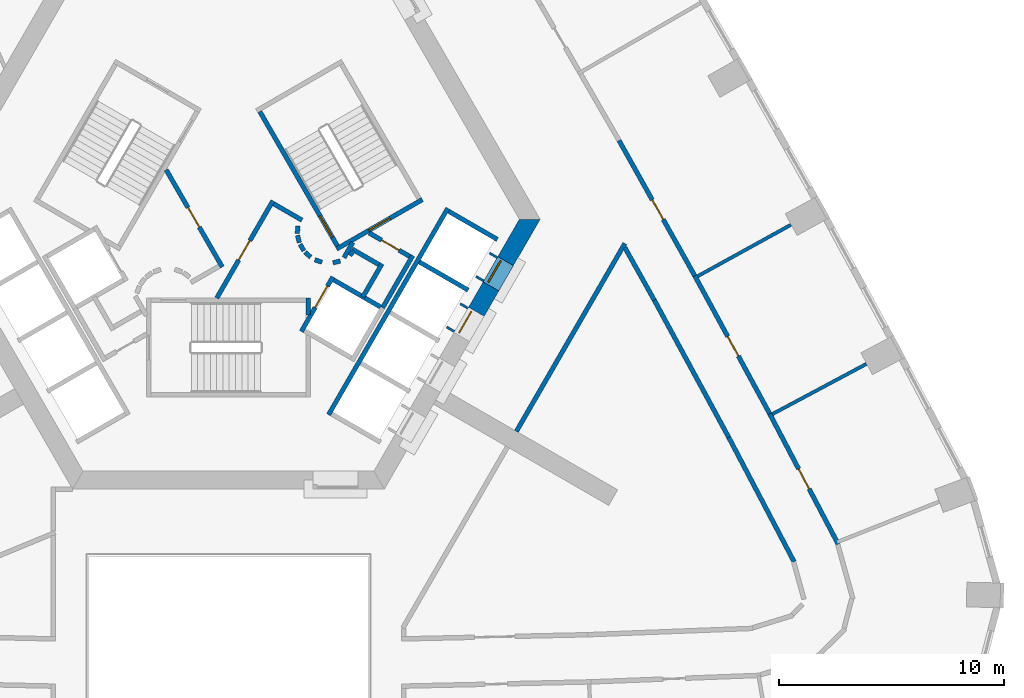
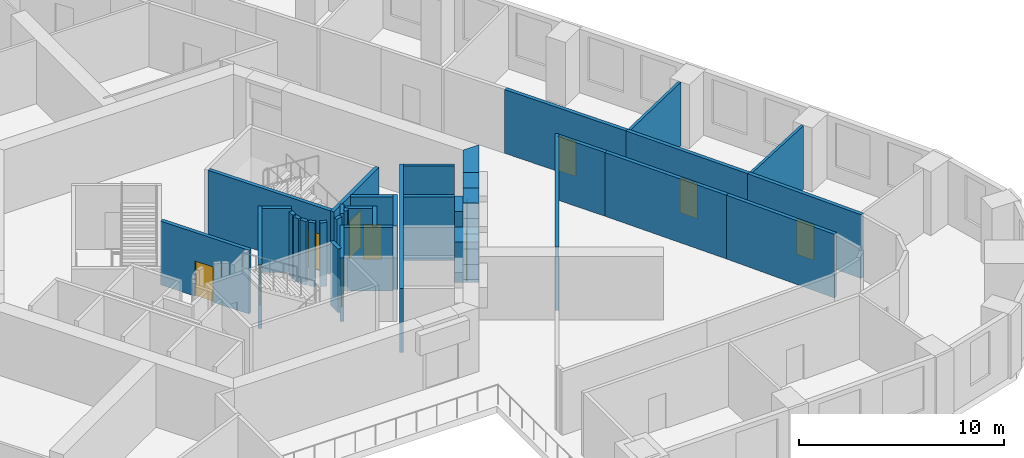
# One storey, part 7 of 12: 37 walls, 11 doors, 11 openings.
"""IFC4 building model written with IfcOpenShell, lengths in metres."""

from ifc_helpers import new_model, si_unit, direction, frame, frame_2d, origin, place, context, subcontext, project, spatial, polyline, rectangle, outline, extrude, material, layer, layer_set, type_object, element, fill, save


model = new_model("IFC4")

# Units and contexts
model_context = context("Model", 3, precision=1e-05, world=origin(), true_north=direction((0.0, 1.0)))
body_context = subcontext(model_context, "Body", "Model", "MODEL_VIEW")
ifc_project = project(units=[si_unit("LENGTHUNIT", "METRE"), si_unit("AREAUNIT", "SQUARE_METRE"), si_unit("VOLUMEUNIT", "CUBIC_METRE"), si_unit("PLANEANGLEUNIT", "RADIAN"), si_unit("MASSUNIT", "GRAM", prefix="KILO")], contexts=[model_context])

# Site, building, storey
site_placement = place(None, origin())
site = spatial("IfcSite", under=ifc_project, at=site_placement, CompositionType="ELEMENT")
building_placement = place(site_placement, origin())
building = spatial("IfcBuilding", under=site, at=building_placement, Name="Entoto Arch Interchange Tower", CompositionType="ELEMENT")
storey_placement = place(building_placement, frame((0.0, 0.0, 155.0)))
storey = spatial("IfcBuildingStorey", under=building, at=storey_placement, Name="L34", CompositionType="ELEMENT", Elevation=155.0)

# Walls
ifc_material_1 = material(Name="Concrete C50/60", Category="concrete")
ifc_layer_1 = layer(ifc_material_1, 0.800048828125)
ifc_layer_set_1 = layer_set([ifc_layer_1], Name="Concrete C50/60")
wall_type_1 = type_object("IfcWallType", Name="Core wall 800 C50/60", PredefinedType="SHEAR", material=ifc_layer_set_1)
wall_1_placement = place(storey_placement, frame((0.0, 0.0, -0.39990234375)))
element("IfcWall", 1, at=wall_1_placement, inside=storey, type_object=wall_type_1, Name="Core wall SE L34", PredefinedType="SHEAR", context=body_context, shape_type="SweptSolid", body=[
    extrude(outline(polyline([(12.01708984375, -0.68603515625), (11.323974609375, -0.285888671875), (10.675048828125, -1.410888671875), (11.366943359375, -1.81103515625), (12.01708984375, -0.68603515625)])), origin(), (0.0, 0.0, 1.0), 4.199951171875),
])
wall_2_placement = place(storey_placement, frame((0.0, 0.0, -0.39990234375)))
element("IfcWall", 2, at=wall_2_placement, inside=storey, type_object=wall_type_1, Name="Core wall SE L34", PredefinedType="SHEAR", context=body_context, shape_type="SweptSolid", body=[
    extrude(outline(polyline([(11.97412109375, 0.840087890625), (12.6669921875, 0.43994140625), (13.85595703125, 2.5), (12.93310546875, 2.5), (11.97412109375, 0.840087890625)])), origin(), (0.0, 0.0, 1.0), 4.199951171875),
])
wall_3_placement = place(storey_placement, frame((0.0, 0.0, 3.60009765625)))
element("IfcWall", 3, at=wall_3_placement, inside=storey, type_object=wall_type_1, Name="Core wall lintel SE L34", PredefinedType="SHEAR", context=body_context, shape_type="SweptSolid", body=[
    extrude(outline(polyline([(12.6669921875, 0.43994140625), (11.97412109375, 0.840087890625), (11.323974609375, -0.285888671875), (12.01708984375, -0.68603515625), (12.6669921875, 0.43994140625)])), origin(), (0.0, 0.0, 1.0), 0.199951171875),
])

# Wall, opening, door
ifc_material_2 = material(Name="Concrete C40/50", Category="concrete")
ifc_layer_2 = layer(ifc_material_2, 1.199951171875)
ifc_layer_set_2 = layer_set([ifc_layer_2], Name="Concrete C40/50")
wall_type_2 = type_object("IfcWallType", Name="LIFT LANDING INFILL WALL", PredefinedType="STANDARD", material=ifc_layer_set_2)
wall_4_placement = place(storey_placement, frame((10.197998046875, -2.636962890625, 0.0), z_axis=(0.0, 0.0, 1.0), x_axis=(0.49989585183, 0.866085525409, 0.0)))
wall_4 = element("IfcWall", 4, at=wall_4_placement, inside=storey, type_object=wall_type_2, Name="Lift landing infill wall LR7 L34", PredefinedType="STANDARD", context=body_context, shape_type="SweptSolid", body=[
    extrude(rectangle(XDim=1.300048828125, YDim=1.199951171875, at=frame_2d((0.64990234375, 0.0))), origin(), (0.0, 0.0, 1.0), 2.39990234375),
])
opening_1_placement = place(wall_4_placement, frame((0.10009765625, 0.0, 0.0)))
opening_1 = element("IfcOpeningElement", 5, at=opening_1_placement, cuts=wall_4, Name="Opening LD-LR7-L34", PredefinedType="OPENING", context=body_context, shape_type="SweptSolid", body=[
    extrude(rectangle(XDim=1.10009765625, YDim=2.300048828125, at=frame_2d((0.550048828125, 1.14990234375))), frame((0.0, 0.60986328125, 0.0), z_axis=(0.0, -1.0, 0.0), x_axis=(1.0, 0.0, 0.0)), (0.0, 0.0, 1.0), 1.219970703125),
])
ifc_material_3 = material(Name="Stainless steel 1.4301 panels", Category="steel")
door_type_1 = type_object("IfcDoorType", Name="LIFT LANDING DOOR LD2 1100x2300", OperationType="SLIDING_TO_LEFT", PredefinedType="DOOR", material=ifc_material_3)
door_1_placement = place(opening_1_placement, origin())
door_1 = element("IfcDoor", 6, at=door_1_placement, inside=storey, type_object=door_type_1, Name="Lift landing door LR7 L34", OperationType="SLIDING_TO_LEFT", OverallHeight=2.300048828125, OverallWidth=1.10009765625, PredefinedType="DOOR", context=body_context, shape_type="SweptSolid", body=[
    extrude(rectangle(XDim=1.10009765625, YDim=2.300048828125, at=frame_2d((0.550048828125, 1.14990234375))), frame((0.0, 0.02490234375, 0.0), z_axis=(0.0, -1.0, 0.0), x_axis=(1.0, 0.0, 0.0)), (0.0, 0.0, 1.0), 0.050048828125),
])
fill(opening_1, door_1)

wall_5_placement = place(storey_placement, frame((11.498046875, -0.385009765625, 0.0), z_axis=(0.0, 0.0, 1.0), x_axis=(0.500221244143, 0.865897630733, 0.0)))
wall_5 = element("IfcWall", 7, at=wall_5_placement, inside=storey, type_object=wall_type_2, Name="Lift landing infill wall LR8 L34", PredefinedType="STANDARD", context=body_context, shape_type="SweptSolid", body=[
    extrude(rectangle(XDim=1.29931640625, YDim=1.199951171875, at=frame_2d((0.649658203125, 0.0))), origin(), (0.0, 0.0, 1.0), 2.39990234375),
])
opening_2_placement = place(wall_5_placement, frame((0.10009765625, 0.0, 0.0)))
opening_2 = element("IfcOpeningElement", 8, at=opening_2_placement, cuts=wall_5, Name="Opening LD-LR8-L34", PredefinedType="OPENING", context=body_context, shape_type="SweptSolid", body=[
    extrude(rectangle(XDim=1.10009765625, YDim=2.300048828125, at=frame_2d((0.550048828125, 1.14990234375))), frame((0.0, 0.60986328125, 0.0), z_axis=(0.0, -1.0, 0.0), x_axis=(1.0, 0.0, 0.0)), (0.0, 0.0, 1.0), 1.219970703125),
])
door_2_placement = place(opening_2_placement, origin())
door_2 = element("IfcDoor", 9, at=door_2_placement, inside=storey, type_object=door_type_1, Name="Lift landing door LR8 L34", OperationType="SLIDING_TO_LEFT", OverallHeight=2.300048828125, OverallWidth=1.10009765625, PredefinedType="DOOR", context=body_context, shape_type="SweptSolid", body=[
    extrude(rectangle(XDim=1.10009765625, YDim=2.300048828125, at=frame_2d((0.550048828125, 1.14990234375))), frame((0.0, 0.02490234375, 0.0), z_axis=(0.0, -1.0, 0.0), x_axis=(1.0, 0.0, 0.0)), (0.0, 0.0, 1.0), 0.050048828125),
])
fill(opening_2, door_2)

ifc_layer_3 = layer(ifc_material_2, 0.199951171875)
ifc_layer_set_3 = layer_set([ifc_layer_3], Name="Concrete C40/50")
wall_type_3 = type_object("IfcWallType", Name="LIFT SHAFT WALL 200", PredefinedType="STANDARD", material=ifc_layer_set_3)
wall_6_placement = place(storey_placement, frame((3.239990234375, -2.488037109375, 0.0), z_axis=(0.0, 0.0, 1.0), x_axis=(0.49994636267, 0.866056369097, 0.0)))
wall_6 = element("IfcWall", 10, at=wall_6_placement, inside=storey, type_object=wall_type_3, Name="Shaft wall SE1 front", PredefinedType="STANDARD", context=body_context, shape_type="SweptSolid", body=[
    extrude(rectangle(XDim=2.800048828125, YDim=0.199951171875, at=frame_2d((1.39990234375, 0.0))), origin(), (0.0, 0.0, 1.0), 3.800048828125),
])
opening_3_placement = place(wall_6_placement, frame((1.22509765625, 0.0, 0.0)))
opening_3 = element("IfcOpeningElement", 11, at=opening_3_placement, cuts=wall_6, Name="Opening LD-FF1-L34", PredefinedType="OPENING", context=body_context, shape_type="SweptSolid", body=[
    extrude(rectangle(XDim=1.10009765625, YDim=2.10009765625, at=frame_2d((0.550048828125, 1.050048828125))), frame((0.0, 0.10986328125, 0.0), z_axis=(0.0, -1.0, 0.0), x_axis=(1.0, 0.0, 0.0)), (0.0, 0.0, 1.0), 0.219970703125),
])
door_type_2 = type_object("IfcDoorType", Name="LIFT LANDING DOOR LD1 1100x2100", OperationType="SLIDING_TO_LEFT", PredefinedType="DOOR", material=ifc_material_3)
door_3_placement = place(opening_3_placement, origin())
door_3 = element("IfcDoor", 12, at=door_3_placement, inside=storey, type_object=door_type_2, Name="Lift landing door FF1 L34", OperationType="SLIDING_TO_LEFT", OverallHeight=2.10009765625, OverallWidth=1.10009765625, PredefinedType="DOOR", context=body_context, shape_type="SweptSolid", body=[
    extrude(rectangle(XDim=1.10009765625, YDim=2.10009765625, at=frame_2d((0.550048828125, 1.050048828125))), frame((0.0, 0.02490234375, 0.0), z_axis=(0.0, -1.0, 0.0), x_axis=(1.0, 0.0, 0.0)), (0.0, 0.0, 1.0), 0.050048828125),
])
fill(opening_3, door_3)

# Walls
wall_7_placement = place(storey_placement, frame((4.677001953125, -0.199951171875, 0.0), z_axis=(0.0, 0.0, 1.0), x_axis=(0.865973769406, -0.500089422704, 0.0)))
element("IfcWall", 13, at=wall_7_placement, inside=storey, type_object=wall_type_3, Name="Shaft wall SE1 cross 2", PredefinedType="STANDARD", context=body_context, shape_type="SweptSolid", body=[
    extrude(rectangle(XDim=2.3994140625, YDim=0.199951171875, at=frame_2d((1.19970703125, 0.0))), origin(), (0.0, 0.0, 1.0), 3.800048828125),
])
wall_8_placement = place(storey_placement, frame((4.450927734375, -6.18994140625, 0.0), z_axis=(0.0, 0.0, 1.0), x_axis=(0.50000090737, 0.866024879913, 0.0)))
element("IfcWall", 14, at=wall_8_placement, inside=storey, type_object=wall_type_3, Name="Shaft wall SE3 front", PredefinedType="STANDARD", context=body_context, shape_type="SweptSolid", body=[
    extrude(rectangle(XDim=10.60009765625, YDim=0.199951171875, at=frame_2d((5.300048828125, 0.0))), origin(), (0.0, 0.0, 1.0), 3.800048828125),
])
wall_9_placement = place(storey_placement, frame((8.488037109375, 0.60205078125, 0.0), z_axis=(0.0, 0.0, 1.0), x_axis=(0.866022959057, -0.500004234368, 0.0)))
element("IfcWall", 15, at=wall_9_placement, inside=storey, type_object=wall_type_3, Name="Shaft wall SE3 cross 4", PredefinedType="STANDARD", context=body_context, shape_type="SweptSolid", body=[
    extrude(rectangle(XDim=2.5, YDim=0.199951171875, at=frame_2d((1.25, 0.0))), origin(), (0.0, 0.0, 1.0), 3.800048828125),
])
wall_10_placement = place(storey_placement, frame((9.7880859375, 2.85302734375, 0.0), z_axis=(0.0, 0.0, 1.0), x_axis=(0.865998541277, -0.500046524342, 0.0)))
element("IfcWall", 16, at=wall_10_placement, inside=storey, type_object=wall_type_3, Name="Shaft wall SE3 cross 5", PredefinedType="STANDARD", context=body_context, shape_type="SweptSolid", body=[
    extrude(rectangle(XDim=2.499755859375, YDim=0.199951171875, at=frame_2d((1.25, 0.0))), origin(), (0.0, 0.0, 1.0), 3.800048828125),
])
ifc_material_4 = material(Name="Gypsum board partition on steel studs", Category="steel")
ifc_layer_4 = layer(ifc_material_4, 0.14990234375)
ifc_layer_set_4 = layer_set([ifc_layer_4], Name="Gypsum board partition on steel studs")
wall_type_4 = type_object("IfcWallType", Name="PARTITION 150", PredefinedType="PARTITIONING", material=ifc_layer_set_4)
wall_11_placement = place(storey_placement, frame((24.181884765625, -6.162109375, 0.0), z_axis=(0.0, 0.0, 1.0), x_axis=(0.88214427755, 0.470979270866, 0.0)))
element("IfcWall", 17, at=wall_11_placement, inside=storey, type_object=wall_type_4, Name="wall:L34:p126", PredefinedType="PARTITIONING", context=body_context, shape_type="SweptSolid", body=[
    extrude(rectangle(XDim=4.730712890625, YDim=0.14990234375, at=frame_2d((2.365234375, 0.0))), origin(), (0.0, 0.0, 1.0), 3.800048828125),
])
wall_12_placement = place(storey_placement, frame((20.85693359375, -0.032958984375, 0.0), z_axis=(0.0, 0.0, 1.0), x_axis=(0.875786153174, 0.482699299677, 0.0)))
element("IfcWall", 18, at=wall_12_placement, inside=storey, type_object=wall_type_4, Name="wall:L34:p127", PredefinedType="PARTITIONING", context=body_context, shape_type="SweptSolid", body=[
    extrude(rectangle(XDim=4.7294921875, YDim=0.14990234375, at=frame_2d((2.36474609375, 0.0))), origin(), (0.0, 0.0, 1.0), 3.800048828125),
])
ifc_layer_5 = layer(ifc_material_4, 0.199951171875)
ifc_layer_set_5 = layer_set([ifc_layer_5], Name="Gypsum board partition on steel studs")
wall_type_5 = type_object("IfcWallType", Name="PARTITION 200", PredefinedType="PARTITIONING", material=ifc_layer_set_5)
wall_13_placement = place(storey_placement, frame((25.14306640625, -12.721923828125, 0.0), z_axis=(0.0, 0.0, 1.0), x_axis=(-0.465089990515, 0.885263407536, 0.0)))
element("IfcWall", 19, at=wall_13_placement, inside=storey, type_object=wall_type_5, Name="wall:L34:p025", PredefinedType="PARTITIONING", context=body_context, shape_type="SweptSolid", body=[
    extrude(rectangle(XDim=6.23974609375, YDim=0.199951171875, at=frame_2d((3.119873046875, 0.0))), origin(), (0.0, 0.0, 1.0), 3.800048828125),
])
wall_14_placement = place(storey_placement, frame((22.240966796875, -7.197998046875, 0.0), z_axis=(0.0, 0.0, 1.0), x_axis=(-0.476865268044, 0.878976402489, 0.0)))
element("IfcWall", 20, at=wall_14_placement, inside=storey, type_object=wall_type_5, Name="wall:L34:p026", PredefinedType="PARTITIONING", context=body_context, shape_type="SweptSolid", body=[
    extrude(rectangle(XDim=6.943359375, YDim=0.199951171875, at=frame_2d((3.4716796875, 0.0))), origin(), (0.0, 0.0, 1.0), 3.800048828125),
])
wall_15_placement = place(storey_placement, frame((18.929931640625, -1.094970703125, 0.0), z_axis=(0.0, 0.0, 1.0), x_axis=(-0.488268004118, 0.872693735599, 0.0)))
element("IfcWall", 21, at=wall_15_placement, inside=storey, type_object=wall_type_5, Name="wall:L34:p027", PredefinedType="PARTITIONING", context=body_context, shape_type="SweptSolid", body=[
    extrude(rectangle(XDim=2.6826171875, YDim=0.199951171875, at=frame_2d((1.34130859375, 0.0))), origin(), (0.0, 0.0, 1.0), 3.800048828125),
])

# Wall, opening, door
wall_16_placement = place(storey_placement, frame((24.05908203125, -6.14306640625, 0.0), z_axis=(0.0, 0.0, 1.0), x_axis=(0.464993808059, -0.885313932154, 0.0)))
wall_16 = element("IfcWall", 22, at=wall_16_placement, inside=storey, type_object=wall_type_5, Name="wall:L34:p046", PredefinedType="PARTITIONING", context=body_context, shape_type="SweptSolid", body=[
    extrude(rectangle(XDim=6.552490234375, YDim=0.199951171875, at=frame_2d((3.2763671875, 0.0))), origin(), (0.0, 0.0, 1.0), 3.800048828125),
])
opening_4_placement = place(wall_16_placement, frame((2.77587890625, 0.0, 0.0)))
opening_4 = element("IfcOpeningElement", 23, at=opening_4_placement, cuts=wall_16, Name="Opening L34-D04", PredefinedType="OPENING", context=body_context, shape_type="SweptSolid", body=[
    extrude(rectangle(XDim=1.0, YDim=2.10009765625, at=frame_2d((0.5, 1.050048828125))), frame((0.0, 0.10986328125, 0.0), z_axis=(0.0, -1.0, 0.0), x_axis=(1.0, 0.0, 0.0)), (0.0, 0.0, 1.0), 0.219970703125),
])
ifc_material_5 = material(Name="Timber door leaf in Steel S235 frame", Category="steel")
door_type_3 = type_object("IfcDoorType", Name="DOOR DS-10 1000x2100", OperationType="SINGLE_SWING_LEFT", PredefinedType="DOOR", material=ifc_material_5)
door_4_placement = place(opening_4_placement, origin())
door_4 = element("IfcDoor", 24, at=door_4_placement, inside=storey, type_object=door_type_3, Name="door:L34:04", OperationType="SINGLE_SWING_LEFT", OverallHeight=2.10009765625, OverallWidth=1.0, PredefinedType="DOOR", context=body_context, shape_type="SweptSolid", body=[
    extrude(rectangle(XDim=1.0, YDim=2.10009765625, at=frame_2d((0.5, 1.050048828125))), frame((0.0, 0.02490234375, 0.0), z_axis=(0.0, -1.0, 0.0), x_axis=(1.0, 0.0, 0.0)), (0.0, 0.0, 1.0), 0.050048828125),
])
fill(opening_4, door_4)

wall_17_placement = place(storey_placement, frame((20.73291015625, -0.01611328125, 0.0), z_axis=(0.0, 0.0, 1.0), x_axis=(0.477104227839, -0.87884671916, 0.0)))
wall_17 = element("IfcWall", 25, at=wall_17_placement, inside=storey, type_object=wall_type_5, Name="wall:L34:p047", PredefinedType="PARTITIONING", context=body_context, shape_type="SweptSolid", body=[
    extrude(rectangle(XDim=6.9716796875, YDim=0.199951171875, at=frame_2d((3.48583984375, 0.0))), origin(), (0.0, 0.0, 1.0), 3.800048828125),
])
opening_5_placement = place(wall_17_placement, frame((3.06103515625, 0.0, 0.0)))
opening_5 = element("IfcOpeningElement", 26, at=opening_5_placement, cuts=wall_17, Name="Opening L34-D05", PredefinedType="OPENING", context=body_context, shape_type="SweptSolid", body=[
    extrude(rectangle(XDim=1.0, YDim=2.10009765625, at=frame_2d((0.5, 1.050048828125))), frame((0.0, 0.10986328125, 0.0), z_axis=(0.0, -1.0, 0.0), x_axis=(1.0, 0.0, 0.0)), (0.0, 0.0, 1.0), 0.219970703125),
])
door_5_placement = place(opening_5_placement, origin())
door_5 = element("IfcDoor", 27, at=door_5_placement, inside=storey, type_object=door_type_3, Name="door:L34:05", OperationType="SINGLE_SWING_LEFT", OverallHeight=2.10009765625, OverallWidth=1.0, PredefinedType="DOOR", context=body_context, shape_type="SweptSolid", body=[
    extrude(rectangle(XDim=1.0, YDim=2.10009765625, at=frame_2d((0.5, 1.050048828125))), frame((0.0, 0.02490234375, 0.0), z_axis=(0.0, -1.0, 0.0), x_axis=(1.0, 0.0, 0.0)), (0.0, 0.0, 1.0), 0.050048828125),
])
fill(opening_5, door_5)

wall_18_placement = place(storey_placement, frame((17.364013671875, 6.0009765625, 0.0), z_axis=(0.0, 0.0, 1.0), x_axis=(0.488528981592, -0.872547668695, 0.0)))
wall_18 = element("IfcWall", 28, at=wall_18_placement, inside=storey, type_object=wall_type_5, Name="wall:L34:p049", PredefinedType="PARTITIONING", context=body_context, shape_type="SweptSolid", body=[
    extrude(rectangle(XDim=6.89599609375, YDim=0.199951171875, at=frame_2d((3.447998046875, 0.0))), origin(), (0.0, 0.0, 1.0), 3.800048828125),
])
opening_6_placement = place(wall_18_placement, frame((3.02294921875, 0.0, 0.0)))
opening_6 = element("IfcOpeningElement", 29, at=opening_6_placement, cuts=wall_18, Name="Opening L34-D06", PredefinedType="OPENING", context=body_context, shape_type="SweptSolid", body=[
    extrude(rectangle(XDim=1.0, YDim=2.10009765625, at=frame_2d((0.5, 1.050048828125))), frame((0.0, 0.10986328125, 0.0), z_axis=(0.0, -1.0, 0.0), x_axis=(1.0, 0.0, 0.0)), (0.0, 0.0, 1.0), 0.219970703125),
])
door_6_placement = place(opening_6_placement, origin())
door_6 = element("IfcDoor", 30, at=door_6_placement, inside=storey, type_object=door_type_3, Name="door:L34:06", OperationType="SINGLE_SWING_LEFT", OverallHeight=2.10009765625, OverallWidth=1.0, PredefinedType="DOOR", context=body_context, shape_type="SweptSolid", body=[
    extrude(rectangle(XDim=1.0, YDim=2.10009765625, at=frame_2d((0.5, 1.050048828125))), frame((0.0, 0.02490234375, 0.0), z_axis=(0.0, -1.0, 0.0), x_axis=(1.0, 0.0, 0.0)), (0.0, 0.0, 1.0), 0.050048828125),
])
fill(opening_6, door_6)

# Walls
wall_19_placement = place(storey_placement, frame((5.389892578125, 0.89794921875, 0.0), z_axis=(0.0, 0.0, 1.0), x_axis=(0.673828488714, 0.738887791073, 0.0)))
element("IfcWall", 31, at=wall_19_placement, inside=storey, type_object=wall_type_5, Name="wall:L34:p074", PredefinedType="PARTITIONING", context=body_context, shape_type="SweptSolid", body=[
    extrude(rectangle(XDim=0.2626953125, YDim=0.199951171875, at=frame_2d((0.13134765625, 0.0))), origin(), (0.0, 0.0, 1.0), 3.800048828125),
])
wall_20_placement = place(storey_placement, frame((5.4990234375, 1.172119140625, 0.0), z_axis=(0.0, 0.0, 1.0), x_axis=(0.866333505267, -0.499465972466, 0.0)))
element("IfcWall", 32, at=wall_20_placement, inside=storey, type_object=wall_type_5, Name="wall:L34:p075", PredefinedType="PARTITIONING", context=body_context, shape_type="SweptSolid", body=[
    extrude(rectangle(XDim=1.37353515625, YDim=0.199951171875, at=frame_2d((0.686767578125, 0.0))), origin(), (0.0, 0.0, 1.0), 3.800048828125),
])
wall_21_placement = place(storey_placement, frame((6.825927734375, 0.52197265625, 0.0), z_axis=(0.0, 0.0, 1.0), x_axis=(-0.500016722714, -0.866015748706, 0.0)))
element("IfcWall", 33, at=wall_21_placement, inside=storey, type_object=wall_type_5, Name="wall:L34:p076", PredefinedType="PARTITIONING", context=body_context, shape_type="SweptSolid", body=[
    extrude(rectangle(XDim=1.69970703125, YDim=0.199951171875, at=frame_2d((0.849853515625, 0.0))), origin(), (0.0, 0.0, 1.0), 3.800048828125),
])

# Wall, opening, door
wall_22_placement = place(storey_placement, frame((6.25, 1.89404296875, 0.0), z_axis=(0.0, 0.0, 1.0), x_axis=(0.866043184279, -0.499969202016, 0.0)))
wall_22 = element("IfcWall", 34, at=wall_22_placement, inside=storey, type_object=wall_type_5, Name="wall:L34:p077", PredefinedType="PARTITIONING", context=body_context, shape_type="SweptSolid", body=[
    extrude(rectangle(XDim=2.084228515625, YDim=0.199951171875, at=frame_2d((1.0419921875, 0.0))), origin(), (0.0, 0.0, 1.0), 3.800048828125),
])
opening_7_placement = place(wall_22_placement, frame((0.64208984375, 0.0, 0.0)))
opening_7 = element("IfcOpeningElement", 35, at=opening_7_placement, cuts=wall_22, Name="Opening L34-D32", PredefinedType="OPENING", context=body_context, shape_type="SweptSolid", body=[
    extrude(rectangle(XDim=0.89990234375, YDim=2.10009765625, at=frame_2d((0.449951171875, 1.050048828125))), frame((0.0, 0.10986328125, 0.0), z_axis=(0.0, -1.0, 0.0), x_axis=(1.0, 0.0, 0.0)), (0.0, 0.0, 1.0), 0.219970703125),
])
door_type_4 = type_object("IfcDoorType", Name="DOOR DS-09 900x2100", OperationType="SINGLE_SWING_LEFT", PredefinedType="DOOR", material=ifc_material_5)
door_7_placement = place(opening_7_placement, origin())
door_7 = element("IfcDoor", 36, at=door_7_placement, inside=storey, type_object=door_type_4, Name="door:L34:32", OperationType="SINGLE_SWING_LEFT", OverallHeight=2.10009765625, OverallWidth=0.89990234375, PredefinedType="DOOR", context=body_context, shape_type="SweptSolid", body=[
    extrude(rectangle(XDim=0.89990234375, YDim=2.10009765625, at=frame_2d((0.449951171875, 1.050048828125))), frame((0.0, 0.02490234375, 0.0), z_axis=(0.0, -1.0, 0.0), x_axis=(1.0, 0.0, 0.0)), (0.0, 0.0, 1.0), 0.050048828125),
])
fill(opening_7, door_7)

# Walls
wall_23_placement = place(storey_placement, frame((8.19189453125, 0.887939453125, 0.0), z_axis=(0.0, 0.0, 1.0), x_axis=(-0.499940625693, -0.866059680843, 0.0)))
element("IfcWall", 37, at=wall_23_placement, inside=storey, type_object=wall_type_5, Name="wall:L34:p078", PredefinedType="PARTITIONING", context=body_context, shape_type="SweptSolid", body=[
    extrude(rectangle(XDim=2.679931640625, YDim=0.199951171875, at=frame_2d((1.33984375, 0.0))), origin(), (0.0, 0.0, 1.0), 3.800048828125),
])
wall_24_placement = place(storey_placement, frame((5.135009765625, 0.79296875, 0.0), z_axis=(0.0, 0.0, 1.0), x_axis=(0.499526442893, 0.866298639529, 0.0)))
element("IfcWall", 38, at=wall_24_placement, inside=storey, type_object=wall_type_5, Name="wall:L34:p079", PredefinedType="PARTITIONING", context=body_context, shape_type="SweptSolid", body=[
    extrude(rectangle(XDim=0.790771484375, YDim=0.199951171875, at=frame_2d((0.3955078125, 0.0))), origin(), (0.0, 0.0, 1.0), 3.800048828125),
])

# Wall, opening, door
wall_25_placement = place(storey_placement, frame((-0.52001953125, -1.0, 0.0), z_axis=(0.0, 0.0, 1.0), x_axis=(0.50011622646, 0.865958290007, 0.0)))
wall_25 = element("IfcWall", 39, at=wall_25_placement, inside=storey, type_object=wall_type_5, Name="wall:L34:p088", PredefinedType="PARTITIONING", context=body_context, shape_type="SweptSolid", body=[
    extrude(rectangle(XDim=4.990966796875, YDim=0.199951171875, at=frame_2d((2.49560546875, 0.0))), origin(), (0.0, 0.0, 1.0), 3.800048828125),
])
opening_8_placement = place(wall_25_placement, frame((1.945068359375, 0.0, 0.0)))
opening_8 = element("IfcOpeningElement", 40, at=opening_8_placement, cuts=wall_25, Name="Opening L34-D30", PredefinedType="OPENING", context=body_context, shape_type="SweptSolid", body=[
    extrude(rectangle(XDim=1.0, YDim=2.10009765625, at=frame_2d((0.5, 1.050048828125))), frame((0.0, 0.10986328125, 0.0), z_axis=(0.0, -1.0, 0.0), x_axis=(1.0, 0.0, 0.0)), (0.0, 0.0, 1.0), 0.219970703125),
])
ifc_material_6 = material(Name="Fire-rated Steel S235 door and frame", Category="steel")
door_type_5 = type_object("IfcDoorType", Name="DOOR FD-10 1000x2100", OperationType="SINGLE_SWING_LEFT", PredefinedType="DOOR", material=ifc_material_6)
door_8_placement = place(opening_8_placement, origin())
door_8 = element("IfcDoor", 41, at=door_8_placement, inside=storey, type_object=door_type_5, Name="door:L34:30", OperationType="SINGLE_SWING_LEFT", OverallHeight=2.10009765625, OverallWidth=1.0, PredefinedType="DOOR", context=body_context, shape_type="SweptSolid", body=[
    extrude(rectangle(XDim=1.0, YDim=2.10009765625, at=frame_2d((0.5, 1.050048828125))), frame((0.0, 0.02490234375, 0.0), z_axis=(0.0, -1.0, 0.0), x_axis=(1.0, 0.0, 0.0)), (0.0, 0.0, 1.0), 0.050048828125),
])
fill(opening_8, door_8)

# Walls
wall_26_placement = place(storey_placement, frame((2.011962890625, 3.18603515625, 0.0), z_axis=(0.0, 0.0, 1.0), x_axis=(0.865891012941, -0.500232699559, 0.0)))
element("IfcWall", 42, at=wall_26_placement, inside=storey, type_object=wall_type_5, Name="wall:L34:p089", PredefinedType="PARTITIONING", context=body_context, shape_type="SweptSolid", body=[
    extrude(rectangle(XDim=1.449462890625, YDim=0.199951171875, at=frame_2d((0.724609375, 0.0))), origin(), (0.0, 0.0, 1.0), 3.800048828125),
])
wall_27_placement = place(storey_placement, frame((3.0791015625, 2.198974609375, 0.0), z_axis=(0.0, 0.0, 1.0), x_axis=(-0.047771483479, -0.998858290933, 0.0)))
element("IfcWall", 43, at=wall_27_placement, inside=storey, type_object=wall_type_5, Name="wall:L34:p090", PredefinedType="PARTITIONING", context=body_context, shape_type="SweptSolid", body=[
    extrude(rectangle(XDim=0.33740234375, YDim=0.199951171875, at=frame_2d((0.168701171875, 0.0))), origin(), (0.0, 0.0, 1.0), 3.800048828125),
])
wall_28_placement = place(storey_placement, frame((3.070068359375, 1.785888671875, 0.0), z_axis=(0.0, 0.0, 1.0), x_axis=(0.242705583207, -0.970099994784, 0.0)))
element("IfcWall", 44, at=wall_28_placement, inside=storey, type_object=wall_type_5, Name="wall:L34:p091", PredefinedType="PARTITIONING", context=body_context, shape_type="SweptSolid", body=[
    extrude(rectangle(XDim=0.337890625, YDim=0.199951171875, at=frame_2d((0.1689453125, 0.0))), origin(), (0.0, 0.0, 1.0), 3.800048828125),
])
for number, where, z_axis, x_axis, name in (
    (45, (3.181884765625, 1.387939453125, 0.0), (0.0, 0.0, 1.0), (0.512474702713, -0.85870232274, 0.0), "wall:L34:p092"),
    (46, (3.404052734375, 1.0390625, 0.0), (0.0, 0.0, 1.0), (0.740267097712, -0.672312891476, 0.0), "wall:L34:p093"),
):
    element("IfcWall", number, at=place(storey_placement, frame(where, z_axis=z_axis, x_axis=x_axis)), inside=storey, type_object=wall_type_5, Name=name, PredefinedType="PARTITIONING", context=body_context, shape_type="SweptSolid", body=[
        extrude(rectangle(XDim=0.337646484375, YDim=0.199951171875, at=frame_2d((0.1689453125, 0.0))), origin(), (0.0, 0.0, 1.0), 3.800048828125),
    ])
wall_29_placement = place(storey_placement, frame((3.837890625, 0.701904296875, 0.0), z_axis=(0.0, 0.0, 1.0), x_axis=(0.941035081519, -0.338308993895, 0.0)))
element("IfcWall", 47, at=wall_29_placement, inside=storey, type_object=wall_type_5, Name="wall:L34:p094", PredefinedType="PARTITIONING", context=body_context, shape_type="SweptSolid", body=[
    extrude(rectangle(XDim=0.3369140625, YDim=0.199951171875, at=frame_2d((0.16845703125, 0.0))), origin(), (0.0, 0.0, 1.0), 3.800048828125),
])
wall_30_placement = place(storey_placement, frame((4.64404296875, 0.56396484375, 0.0), z_axis=(0.0, 0.0, 1.0), x_axis=(0.969929076366, 0.243387729394, 0.0)))
element("IfcWall", 48, at=wall_30_placement, inside=storey, type_object=wall_type_5, Name="wall:L34:p095", PredefinedType="PARTITIONING", context=body_context, shape_type="SweptSolid", body=[
    extrude(rectangle(XDim=0.337158203125, YDim=0.199951171875, at=frame_2d((0.16845703125, 0.0))), origin(), (0.0, 0.0, 1.0), 3.800048828125),
])

# Wall, opening, door
wall_31_placement = place(storey_placement, frame((-2.77099609375, 4.699951171875, 0.0), z_axis=(0.0, 0.0, 1.0), x_axis=(0.499969479948, -0.866043023828, 0.0)))
wall_31 = element("IfcWall", 49, at=wall_31_placement, inside=storey, type_object=wall_type_5, Name="wall:L34:p096", PredefinedType="PARTITIONING", context=body_context, shape_type="SweptSolid", body=[
    extrude(rectangle(XDim=4.990478515625, YDim=0.199951171875, at=frame_2d((2.4951171875, 0.0))), origin(), (0.0, 0.0, 1.0), 3.800048828125),
])
opening_9_placement = place(wall_31_placement, frame((1.945068359375, 0.0, 0.0)))
opening_9 = element("IfcOpeningElement", 50, at=opening_9_placement, cuts=wall_31, Name="Opening L34-D31", PredefinedType="OPENING", context=body_context, shape_type="SweptSolid", body=[
    extrude(rectangle(XDim=1.0, YDim=2.10009765625, at=frame_2d((0.5, 1.050048828125))), frame((0.0, 0.10986328125, 0.0), z_axis=(0.0, -1.0, 0.0), x_axis=(1.0, 0.0, 0.0)), (0.0, 0.0, 1.0), 0.219970703125),
])
door_9_placement = place(opening_9_placement, origin())
door_9 = element("IfcDoor", 51, at=door_9_placement, inside=storey, type_object=door_type_5, Name="door:L34:31", OperationType="SINGLE_SWING_RIGHT", OverallHeight=2.10009765625, OverallWidth=1.0, PredefinedType="DOOR", context=body_context, shape_type="SweptSolid", body=[
    extrude(rectangle(XDim=1.0, YDim=2.10009765625, at=frame_2d((0.5, 1.050048828125))), frame((0.0, 0.02490234375, 0.0), z_axis=(0.0, -1.0, 0.0), x_axis=(1.0, 0.0, 0.0)), (0.0, 0.0, 1.0), 0.050048828125),
])
fill(opening_9, door_9)

# Walls
wall_32_placement = place(storey_placement, frame((17.62109375, 1.419921875, 0.0), z_axis=(0.0, 0.0, 1.0), x_axis=(-0.499987708133, -0.866032500381, 0.0)))
element("IfcWall", 52, at=wall_32_placement, inside=storey, type_object=wall_type_5, Name="wall:L34:p110", PredefinedType="PARTITIONING", context=body_context, shape_type="SweptSolid", body=[
    extrude(rectangle(XDim=9.640380859375, YDim=0.199951171875, at=frame_2d((4.8203125, 0.0))), origin(), (0.0, 0.0, 1.0), 3.800048828125),
])
ifc_layer_6 = layer(ifc_material_2, 0.199951171875)
ifc_layer_set_6 = layer_set([ifc_layer_6], Name="Concrete C40/50")
wall_type_6 = type_object("IfcWallType", Name="STAIR ENCLOSURE WALL 200", PredefinedType="STANDARD", material=ifc_layer_set_6)
wall_33_placement = place(storey_placement, frame((3.550048828125, -1.0, 0.0), z_axis=(0.0, 0.0, 1.0), x_axis=(0.0, -1.0, 0.0)))
element("IfcWall", 53, at=wall_33_placement, inside=storey, type_object=wall_type_6, Name="Stair wall ST-S far return", PredefinedType="STANDARD", context=body_context, shape_type="SweptSolid", body=[
    extrude(rectangle(XDim=0.7509765625, YDim=0.199951171875, at=frame_2d((0.37548828125, 0.0))), origin(), (0.0, 0.0, 1.0), 3.800048828125),
])

# Wall, opening, door
wall_34_placement = place(storey_placement, frame((4.805908203125, 1.176025390625, 0.0), z_axis=(0.0, 0.0, 1.0), x_axis=(0.866059941101, 0.499940174841, 0.0)))
wall_34 = element("IfcWall", 54, at=wall_34_placement, inside=storey, type_object=wall_type_6, Name="Stair wall ST-NE near", PredefinedType="STANDARD", context=body_context, shape_type="SweptSolid", body=[
    extrude(rectangle(XDim=4.400390625, YDim=0.199951171875, at=frame_2d((2.2001953125, 0.0))), origin(), (0.0, 0.0, 1.0), 3.800048828125),
])
opening_10_placement = place(wall_34_placement, frame((1.64990234375, 0.0, 0.0)))
opening_10 = element("IfcOpeningElement", 55, at=opening_10_placement, cuts=wall_34, Name="Opening SD-ST-NE-L34-E", PredefinedType="OPENING", context=body_context, shape_type="SweptSolid", body=[
    extrude(rectangle(XDim=1.10009765625, YDim=2.199951171875, at=frame_2d((0.550048828125, 1.10009765625))), frame((0.0, 0.10986328125, 0.0), z_axis=(0.0, -1.0, 0.0), x_axis=(1.0, 0.0, 0.0)), (0.0, 0.0, 1.0), 0.219970703125),
])
ifc_material_7 = material(Name="Steel S235", Category="steel")
door_type_6 = type_object("IfcDoorType", Name="STAIR DOOR SD1 1100x2200", OperationType="SINGLE_SWING_LEFT", PredefinedType="DOOR", material=ifc_material_7)
door_10_placement = place(opening_10_placement, origin())
door_10 = element("IfcDoor", 56, at=door_10_placement, inside=storey, type_object=door_type_6, Name="Stair door ST-NE L34 end", OperationType="SINGLE_SWING_LEFT", OverallHeight=2.199951171875, OverallWidth=1.10009765625, PredefinedType="DOOR", context=body_context, shape_type="SweptSolid", body=[
    extrude(rectangle(XDim=1.10009765625, YDim=2.199951171875, at=frame_2d((0.550048828125, 1.10009765625))), frame((0.0, 0.02490234375, 0.0), z_axis=(0.0, -1.0, 0.0), x_axis=(1.0, 0.0, 0.0)), (0.0, 0.0, 1.0), 0.050048828125),
])
fill(opening_10, door_10)

wall_35_placement = place(storey_placement, frame((4.843017578125, 1.31201171875, 0.0), z_axis=(0.0, 0.0, 1.0), x_axis=(-0.499963383562, 0.866046543262, 0.0)))
wall_35 = element("IfcWall", 57, at=wall_35_placement, inside=storey, type_object=wall_type_6, Name="Stair wall ST-NE hall", PredefinedType="STANDARD", context=body_context, shape_type="SweptSolid", body=[
    extrude(rectangle(XDim=6.900390625, YDim=0.199951171875, at=frame_2d((3.4501953125, 0.0))), origin(), (0.0, 0.0, 1.0), 3.800048828125),
])
opening_11_placement = place(wall_35_placement, frame((0.449951171875, 0.0, 0.0)))
opening_11 = element("IfcOpeningElement", 58, at=opening_11_placement, cuts=wall_35, Name="Opening SD-ST-NE-L34", PredefinedType="OPENING", context=body_context, shape_type="SweptSolid", body=[
    extrude(rectangle(XDim=1.10009765625, YDim=2.199951171875, at=frame_2d((0.550048828125, 1.10009765625))), frame((0.0, 0.10986328125, 0.0), z_axis=(0.0, -1.0, 0.0), x_axis=(1.0, 0.0, 0.0)), (0.0, 0.0, 1.0), 0.219970703125),
])
door_11_placement = place(opening_11_placement, origin())
door_11 = element("IfcDoor", 59, at=door_11_placement, inside=storey, type_object=door_type_6, Name="Stair door ST-NE L34", OperationType="SINGLE_SWING_LEFT", OverallHeight=2.199951171875, OverallWidth=1.10009765625, PredefinedType="DOOR", context=body_context, shape_type="SweptSolid", body=[
    extrude(rectangle(XDim=1.10009765625, YDim=2.199951171875, at=frame_2d((0.550048828125, 1.10009765625))), frame((0.0, 0.02490234375, 0.0), z_axis=(0.0, -1.0, 0.0), x_axis=(1.0, 0.0, 0.0)), (0.0, 0.0, 1.0), 0.050048828125),
])
fill(opening_11, door_11)

save(model, "model.ifc")
